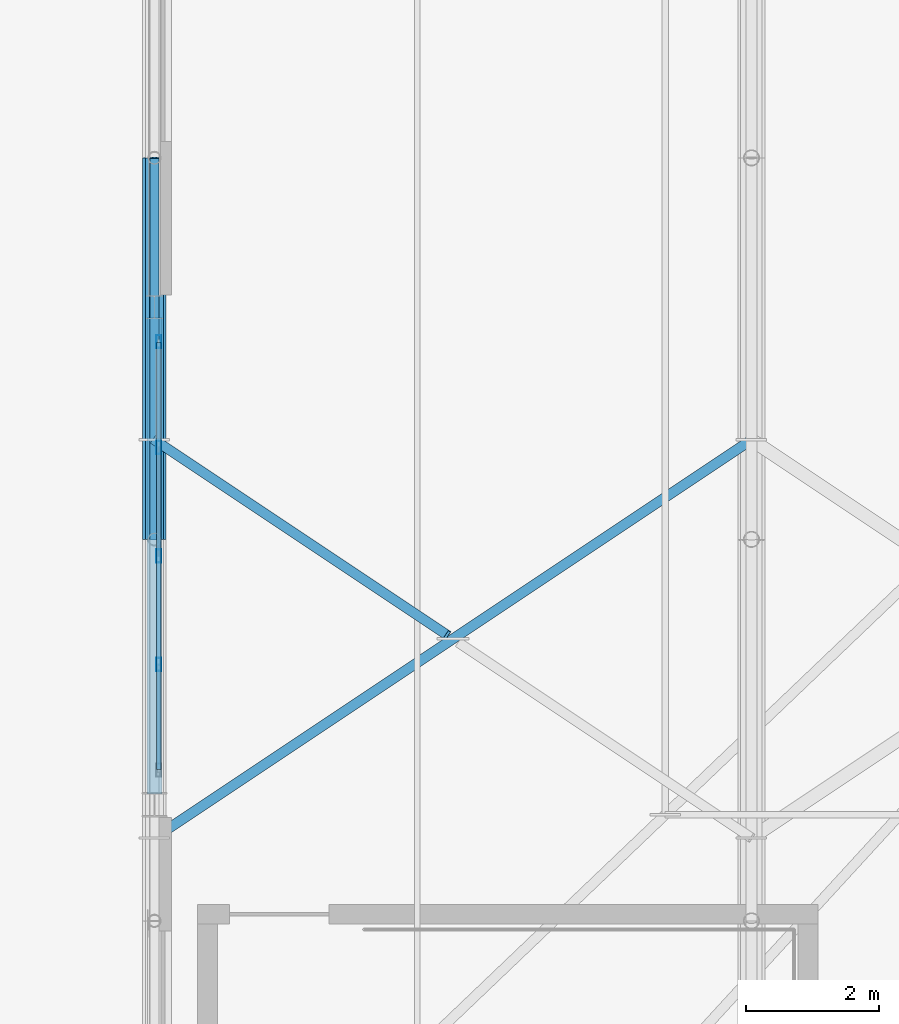
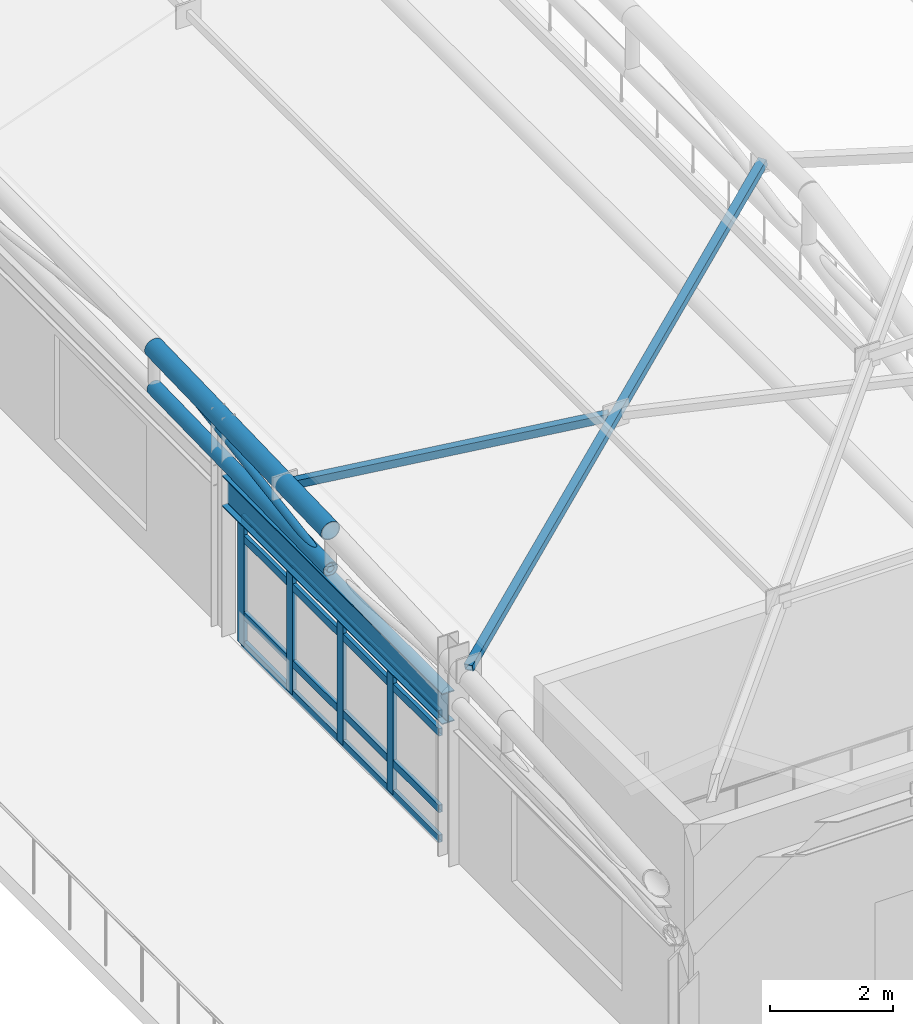
# One storey, part 12 of 168: 12 members, 2 beams, 1 element without a shape of its own.
"""IFC4 building model written with IfcOpenShell, lengths in metres."""

import ifcopenshell
import ifcopenshell.guid

model = None  # the IFC model being written
_history = None  # IfcOwnerHistory: only IFC2X3 demands one
_inside = {}  # id of a spatial element -> (the spatial element, [elements in it])
_under = {}  # id of a project, library or spatial element -> (it, [spatial elements below it])
_declared = {}  # id of a project -> (the project, [libraries it declares])
_typed = {}  # id of a type object -> (the type object, [elements of that type])
_made_of = {}  # id of a material, layer set ... -> (it, [elements and type objects made of it])


def new_model(schema):
    """Start an empty IFC model of exactly this schema.

    Asked for "IFC4X3", IfcOpenShell would pick the latest addendum, in which some entities
    have other attributes; the version numbers below select the first issue.
    IFC2X3 requires an IfcOwnerHistory on every rooted entity: one is made here for all.
    """
    global model, _history
    if schema == "IFC4X3":
        model = ifcopenshell.file(schema_version=(4, 3, 0, 0))
    else:
        model = ifcopenshell.file(schema=schema)
    _inside.clear()
    _under.clear()
    _declared.clear()
    _typed.clear()
    _made_of.clear()
    _history = None
    if model.schema == "IFC2X3":
        org = make("IfcOrganization", Name="unknown")
        user = make(
            "IfcPersonAndOrganization",
            ThePerson=make("IfcPerson", FamilyName="unknown"),
            TheOrganization=org,
        )
        app = make(
            "IfcApplication",
            ApplicationDeveloper=org,
            Version="unknown",
            ApplicationFullName="unknown",
            ApplicationIdentifier="unknown",
        )
        _history = make(
            "IfcOwnerHistory",
            OwningUser=user,
            OwningApplication=app,
            ChangeAction="ADDED",
            CreationDate=0,
        )
    return model


def make(cls, **values):
    """One entity of the class cls with the attributes given. An attribute that is None is left unset."""
    return model.create_entity(
        cls, **{name: value for name, value in values.items() if value is not None}
    )


def rooted(cls, **values):
    """An entity with a GlobalId (a new one), such as an element, a storey or a relation."""
    return make(cls, GlobalId=ifcopenshell.guid.new(), OwnerHistory=_history, **values)


def si_unit(unit_type, name, prefix=None):
    """IfcSIUnit, for example si_unit("LENGTHUNIT", "METRE", prefix="MILLI")."""
    return make("IfcSIUnit", UnitType=unit_type, Prefix=prefix, Name=name)


def assignment(units):
    """IfcUnitAssignment: the units of a project."""
    return None if units is None else make("IfcUnitAssignment", Units=units)


def point(xyz):
    """IfcCartesianPoint."""
    return None if xyz is None else make("IfcCartesianPoint", Coordinates=xyz)


def direction(xyz):
    """IfcDirection."""
    return None if xyz is None else make("IfcDirection", DirectionRatios=xyz)


def frame(location, z_axis=None, x_axis=None):
    """IfcAxis2Placement3D, a coordinate frame: its origin and axes. An axis left out is left unset."""
    return make(
        "IfcAxis2Placement3D",
        Location=point(location),
        Axis=direction(z_axis),
        RefDirection=direction(x_axis),
    )


def frame_2d(location, x_axis=None):
    """IfcAxis2Placement2D, a coordinate frame in the plane: its origin and x axis."""
    return make(
        "IfcAxis2Placement2D", Location=point(location), RefDirection=direction(x_axis)
    )


def origin():
    """The frame at (0, 0, 0) with its axes left unset."""
    return frame((0.0, 0.0, 0.0))


def origin_2d():
    """The frame at (0, 0) in the plane with its x axis left unset."""
    return frame_2d((0.0, 0.0))


def place(relative_to, where):
    """IfcLocalPlacement: puts the frame where relative to a parent placement (None: the world)."""
    return make(
        "IfcLocalPlacement", PlacementRelTo=relative_to, RelativePlacement=where
    )


def context(
    kind, dimensions, precision=None, world=None, true_north=None, identifier=None
):
    """IfcGeometricRepresentationContext, for example the 3D "Model" context."""
    return make(
        "IfcGeometricRepresentationContext",
        ContextIdentifier=identifier,
        ContextType=kind,
        CoordinateSpaceDimension=dimensions,
        Precision=precision,
        WorldCoordinateSystem=world,
        TrueNorth=true_north,
    )


def subcontext(parent, identifier, kind, view, scale=None):
    """IfcGeometricRepresentationSubContext, for example "Body" below "Model"."""
    return make(
        "IfcGeometricRepresentationSubContext",
        ContextIdentifier=identifier,
        ContextType=kind,
        ParentContext=parent,
        TargetScale=scale,
        TargetView=view,
    )


def project(units=None, contexts=None):
    """IfcProject with its units and contexts."""
    return rooted(
        "IfcProject",
        Name="project",
        RepresentationContexts=contexts,
        UnitsInContext=assignment(units),
    )


def spatial(cls, under=None, at=None, **own):
    """A site, building, storey or space (cls), placed at a placement, below another one or the project."""
    s = rooted(cls, ObjectPlacement=at, **own)
    if under is not None:
        _under.setdefault(under.id(), (under, []))[1].append(s)
    return s


def profile(cls, at=None, kind="AREA", **sizes):
    """A parametric profile (cls). Its sizes go by their IFC names, for example OverallWidth=200.0."""
    return make(cls, ProfileType=kind, Position=at, **sizes)


def hollow_rectangle(**sizes):
    """IfcRectangleHollowProfileDef."""
    return profile("IfcRectangleHollowProfileDef", **sizes)


def hollow_circle(**sizes):
    """IfcCircleHollowProfileDef."""
    return profile("IfcCircleHollowProfileDef", **sizes)


def i_section(**sizes):
    """IfcIShapeProfileDef."""
    return profile("IfcIShapeProfileDef", **sizes)


def extrude(swept, where, along, depth):
    """IfcExtrudedAreaSolid: the profile swept, set in the frame where, extruded along a direction by depth."""
    return make(
        "IfcExtrudedAreaSolid",
        SweptArea=swept,
        Position=where,
        ExtrudedDirection=direction(along),
        Depth=depth,
    )


def shape(context_of_items, identifier, shape_type, items):
    """IfcShapeRepresentation: the items that make up one representation, for example the "Body"."""
    return make(
        "IfcShapeRepresentation",
        ContextOfItems=context_of_items,
        RepresentationIdentifier=identifier,
        RepresentationType=shape_type,
        Items=items,
    )


def material(Name=None, Category=None):
    """IfcMaterial."""
    return make("IfcMaterial", Name=Name, Category=Category)


def material_profile(
    of_material, cross_section, Name=None, Category=None, Priority=None
):
    """IfcMaterialProfile: a cross section and its material."""
    return make(
        "IfcMaterialProfile",
        Name=Name,
        Material=of_material,
        Profile=cross_section,
        Priority=Priority,
        Category=Category,
    )


def profile_set(profiles, Name=None, composite=None):
    """IfcMaterialProfileSet."""
    return make(
        "IfcMaterialProfileSet",
        Name=Name,
        MaterialProfiles=profiles,
        CompositeProfile=composite,
    )


def made_of(thing, what):
    """Note that an element or type object is made of a material, layer set ...; save() writes the relation."""
    if what is not None:
        _made_of.setdefault(what.id(), (what, []))[1].append(thing)
    return thing


def type_object(cls, material=None, **own):
    """A type object (cls), such as IfcWallType, which elements share."""
    return made_of(rooted(cls, **own), material)


def element(
    cls,
    number,
    at=None,
    inside=None,
    cuts=None,
    type_object=None,
    material=None,
    context=None,
    identifier="Body",
    shape_type=None,
    held_by="IfcProductDefinitionShape",
    body=None,
    shapes=None,
    **own,
):
    """One element of the class cls, such as IfcWall. Its Tag is "e" and its number.

    at: its placement. inside: the storey or other place that contains it. cuts: it is an
    opening in that element (IfcRelVoidsElement). A single representation is given by context,
    identifier, shape_type and body (its items); several are given by shapes. held_by: the class
    of the entity that holds the representations. save() writes the other relations.
    """
    e = rooted(cls, Tag="e%d" % number, ObjectPlacement=at, **own)
    if body is not None:
        shapes = [shape(context, identifier, shape_type, body)]
    if shapes is not None:
        e.Representation = make(held_by, Representations=shapes)
    if inside is not None:
        _inside.setdefault(inside.id(), (inside, []))[1].append(e)
    if cuts is not None:
        rooted(
            "IfcRelVoidsElement", RelatingBuildingElement=cuts, RelatedOpeningElement=e
        )
    if type_object is not None:
        _typed.setdefault(type_object.id(), (type_object, []))[1].append(e)
    return made_of(e, material)


def aggregate(whole, parts):
    """IfcRelAggregates: a whole, such as a stair, and the parts it consists of."""
    return rooted("IfcRelAggregates", RelatingObject=whole, RelatedObjects=parts)


def save(model, path):
    """Write the relations noted so far, then the file.

    IfcRelAggregates (storeys below a building ...), IfcRelContainedInSpatialStructure (elements
    in a storey), IfcRelDefinesByType, IfcRelAssociatesMaterial and IfcRelDeclares: one each for
    every whole, place, type object, material and project.
    """
    for whole, parts in _under.values():
        aggregate(whole, parts)
    for where, things in _inside.values():
        rooted(
            "IfcRelContainedInSpatialStructure",
            RelatedElements=things,
            RelatingStructure=where,
        )
    for kind, things in _typed.values():
        rooted("IfcRelDefinesByType", RelatedObjects=things, RelatingType=kind)
    for what, things in _made_of.values():
        rooted("IfcRelAssociatesMaterial", RelatedObjects=things, RelatingMaterial=what)
    for by, libraries in _declared.values():
        rooted("IfcRelDeclares", RelatingContext=by, RelatedDefinitions=libraries)
    model.write(path)


model = new_model("IFC4")

# Units and contexts
model_context = context("Model", 3, precision=1e-05, world=origin(), true_north=direction((0.0, 1.0)))
body_context = subcontext(model_context, "Body", "Model", "MODEL_VIEW")
ifc_project = project(units=[si_unit("LENGTHUNIT", "METRE"), si_unit("AREAUNIT", "SQUARE_METRE"), si_unit("VOLUMEUNIT", "CUBIC_METRE"), si_unit("PLANEANGLEUNIT", "RADIAN"), si_unit("MASSUNIT", "GRAM", prefix="KILO"), si_unit("THERMODYNAMICTEMPERATUREUNIT", "KELVIN"), si_unit("POWERUNIT", "WATT")], contexts=[model_context])

# Site, building, storey
site_placement = place(None, origin())
site = spatial("IfcSite", under=ifc_project, at=site_placement, CompositionType="ELEMENT")
building_placement = place(site_placement, origin())
building = spatial("IfcBuilding", under=site, at=building_placement, Name="Tepalcoro Natatorium and Aquatics Centre", CompositionType="ELEMENT")
storey_placement = place(building_placement, frame((0.0, 0.0, 10.199951171875)))
storey = spatial("IfcBuildingStorey", under=building, at=storey_placement, Name="L02", CompositionType="ELEMENT", Elevation=10.199951171875)

# Beam
ifc_material_1 = material(Name="Terracotta Painted Hollow Steel ASTM A500 Grade C (Fy 345 MPa)", Category="masonry")
ifc_material_profile_1 = material_profile(ifc_material_1, hollow_circle(Radius=0.177978515625, WallThickness=0.01611328125, at=origin_2d()), Name="CHS356X16")
ifc_profile_set_1 = profile_set([ifc_material_profile_1], Name="Terracotta Painted Hollow Steel ASTM A500 Grade C (Fy 345 MPa)")
beam_type_1 = type_object("IfcBeamType", Name="AC_CHS356x16", PredefinedType="USERDEFINED", material=ifc_profile_set_1)
beam_1_placement = place(storey_placement, frame((53.0, 24.5, 4.087646484375), z_axis=(0.0, 0.999615859161, 0.027715232508), x_axis=(-1.0, 0.0, 0.0)))
element("IfcBeam", 1, at=beam_1_placement, inside=storey, type_object=beam_type_1, Name="V1 Gable Arched Truss Top Chord 1", ObjectType="ARCH CHORD", PredefinedType="USERDEFINED", context=body_context, shape_type="SweptSolid", body=[
    extrude(hollow_circle(Radius=0.177978515625, WallThickness=0.01611328125, at=origin_2d()), origin(), (0.0, 0.0, 1.0), 5.752197265625),
])

# Curtain wall, members
ifc_material_2 = material(Name="Bronze-Anodised Extruded Aluminium Alloy EN AW-6063 T6", Category="aluminium")
curtain_wall_type = type_object("IfcCurtainWallType", Name="CW_LEAN_T1_NS", PredefinedType="USERDEFINED", material=ifc_material_2)
curtain_wall_placement = place(storey_placement, origin())
curtain_wall = element("IfcCurtainWall", 2, at=curtain_wall_placement, inside=storey, type_object=curtain_wall_type, Name="V1 L02 W Unitised Curtain Wall Bay 2", ObjectType="FACETED SOLAR GLAZING", PredefinedType="USERDEFINED")
ifc_material_profile_2 = material_profile(ifc_material_2, hollow_rectangle(XDim=0.070068359375, YDim=0.199951171875, WallThickness=0.0048828125, at=origin_2d()), Name="AL70X200X5")
ifc_profile_set_2 = profile_set([ifc_material_profile_2], Name="Bronze-Anodised Extruded Aluminium Alloy EN AW-6063 T6")
member_type_1 = type_object("IfcMemberType", Name="CW_MUL_70x200", PredefinedType="MULLION", material=ifc_profile_set_2)
member_1_placement = place(storey_placement, frame((53.06494140625, 22.614990234375, 0.02001953125), z_axis=(0.0, 0.0, 1.0), x_axis=(1.0, 0.0, 0.0)))
member_1 = element("IfcMember", 3, at=member_1_placement, type_object=member_type_1, Name="CW_LEAN_T1_NS Curtain Wall Mullion", PredefinedType="MULLION", context=body_context, shape_type="SweptSolid", body=[
    extrude(hollow_rectangle(XDim=0.070068359375, YDim=0.199951171875, WallThickness=0.0048828125, at=origin_2d()), origin(), (0.0, 0.0, 1.0), 2.5380859375),
])
member_2_placement = place(storey_placement, frame((53.06494140625, 24.25, 0.02001953125), z_axis=(0.0, 0.0, 1.0), x_axis=(1.0, 0.0, 0.0)))
member_2 = element("IfcMember", 4, at=member_2_placement, type_object=member_type_1, Name="CW_LEAN_T1_NS Curtain Wall Mullion", PredefinedType="MULLION", context=body_context, shape_type="SweptSolid", body=[
    extrude(hollow_rectangle(XDim=0.070068359375, YDim=0.199951171875, WallThickness=0.0048828125, at=origin_2d()), origin(), (0.0, 0.0, 1.0), 2.5380859375),
])
member_3_placement = place(storey_placement, frame((53.06494140625, 25.885009765625, 0.02001953125), z_axis=(0.0, 0.0, 1.0), x_axis=(1.0, 0.0, 0.0)))
member_3 = element("IfcMember", 5, at=member_3_placement, type_object=member_type_1, Name="CW_LEAN_T1_NS Curtain Wall Mullion", PredefinedType="MULLION", context=body_context, shape_type="SweptSolid", body=[
    extrude(hollow_rectangle(XDim=0.070068359375, YDim=0.199951171875, WallThickness=0.0048828125, at=origin_2d()), origin(), (0.0, 0.0, 1.0), 2.5380859375),
])
member_4_placement = place(storey_placement, frame((53.06494140625, 27.47998046875, 0.02001953125), z_axis=(0.0, 0.0, 1.0), x_axis=(1.0, 0.0, 0.0)))
member_4 = element("IfcMember", 6, at=member_4_placement, type_object=member_type_1, Name="CW_LEAN_T1_NS Curtain Wall Mullion", PredefinedType="MULLION", context=body_context, shape_type="SweptSolid", body=[
    extrude(hollow_rectangle(XDim=0.070068359375, YDim=0.199951171875, WallThickness=0.0048828125, at=origin_2d()), origin(), (0.0, 0.0, 1.0), 2.5380859375),
])
ifc_material_profile_3 = material_profile(ifc_material_2, hollow_rectangle(XDim=0.070068359375, YDim=0.14990234375, WallThickness=0.00390625, at=origin_2d()), Name="AL70X150X4")
ifc_profile_set_3 = profile_set([ifc_material_profile_3], Name="Bronze-Anodised Extruded Aluminium Alloy EN AW-6063 T6")
member_type_2 = type_object("IfcMemberType", Name="CW_TRN_70x150", PredefinedType="USERDEFINED", material=ifc_profile_set_3)
member_5_placement = place(storey_placement, frame((53.06494140625, 21.030029296875, 0.050048828125), z_axis=(0.0, 1.0, 0.0), x_axis=(-1.0, 0.0, 0.0)))
member_5 = element("IfcMember", 7, at=member_5_placement, type_object=member_type_2, Name="CW_LEAN_T1_NS Curtain Wall Transom", ObjectType="TRANSOM", PredefinedType="USERDEFINED", context=body_context, shape_type="SweptSolid", body=[
    extrude(hollow_rectangle(XDim=0.070068359375, YDim=0.14990234375, WallThickness=0.00390625, at=origin_2d()), origin(), (0.0, 0.0, 1.0), 6.43994140625),
])
member_6_placement = place(storey_placement, frame((53.06494140625, 21.030029296875, 0.64453125), z_axis=(0.0, 1.0, 0.0), x_axis=(-1.0, 0.0, 0.0)))
member_6 = element("IfcMember", 8, at=member_6_placement, type_object=member_type_2, Name="CW_LEAN_T1_NS Curtain Wall Transom", ObjectType="TRANSOM", PredefinedType="USERDEFINED", context=body_context, shape_type="SweptSolid", body=[
    extrude(hollow_rectangle(XDim=0.070068359375, YDim=0.14990234375, WallThickness=0.00390625, at=origin_2d()), origin(), (0.0, 0.0, 1.0), 6.43994140625),
])
member_7_placement = place(storey_placement, frame((53.06494140625, 21.030029296875, 2.16552734375), z_axis=(0.0, 1.0, 0.0), x_axis=(-1.0, 0.0, 0.0)))
member_7 = element("IfcMember", 9, at=member_7_placement, type_object=member_type_2, Name="CW_LEAN_T1_NS Curtain Wall Transom", ObjectType="TRANSOM", PredefinedType="USERDEFINED", context=body_context, shape_type="SweptSolid", body=[
    extrude(hollow_rectangle(XDim=0.070068359375, YDim=0.14990234375, WallThickness=0.00390625, at=origin_2d()), origin(), (0.0, 0.0, 1.0), 6.43994140625),
])
member_8_placement = place(storey_placement, frame((53.06494140625, 21.030029296875, 2.528076171875), z_axis=(0.0, 1.0, 0.0), x_axis=(-1.0, 0.0, 0.0)))
member_8 = element("IfcMember", 10, at=member_8_placement, type_object=member_type_2, Name="CW_LEAN_T1_NS Curtain Wall Transom", ObjectType="TRANSOM", PredefinedType="USERDEFINED", context=body_context, shape_type="SweptSolid", body=[
    extrude(hollow_rectangle(XDim=0.070068359375, YDim=0.14990234375, WallThickness=0.00390625, at=origin_2d()), origin(), (0.0, 0.0, 1.0), 6.43994140625),
])
aggregate(curtain_wall, [member_1, member_2, member_3, member_4, member_5, member_6, member_7, member_8])

# Members
ifc_material_3 = material(Name="Hollow Steel ASTM A500 Grade C (Fy 345 MPa)", Category="steel")
ifc_material_profile_4 = material_profile(ifc_material_3, hollow_rectangle(XDim=0.14990234375, YDim=0.14990234375, WallThickness=0.010009765625, at=origin_2d()), Name="HSS150X150X10")
ifc_profile_set_4 = profile_set([ifc_material_profile_4], Name="Hollow Steel ASTM A500 Grade C (Fy 345 MPa)")
member_type_3 = type_object("IfcMemberType", Name="MB_BR_HSS150x150x10", PredefinedType="BRACE", material=ifc_profile_set_4)
member_9_placement = place(storey_placement, frame((53.0, 20.0, 4.094970703125), z_axis=(0.796226377267, 0.530817584844, 0.290269267689), x_axis=(-0.554700196225, 0.832050294338, 0.0)))
element("IfcMember", 11, at=member_9_placement, inside=storey, type_object=member_type_3, Name="V1 Pyramid Roof Wind Brace", PredefinedType="BRACE", context=body_context, shape_type="SweptSolid", body=[
    extrude(hollow_rectangle(XDim=0.14990234375, YDim=0.14990234375, WallThickness=0.010009765625, at=origin_2d()), origin(), (0.0, 0.0, 1.0), 11.30322265625),
])
member_10_placement = place(storey_placement, frame((57.4111328125, 23.05908203125, 5.709228515625), z_axis=(-0.795956957685, 0.530667340728, -0.291281127087), x_axis=(-0.554721450011, -0.832036124755, 0.0)))
element("IfcMember", 12, at=member_10_placement, inside=storey, type_object=member_type_3, Name="V1 Pyramid Roof Split Wind Brace", PredefinedType="BRACE", context=body_context, shape_type="SweptSolid", body=[
    extrude(hollow_rectangle(XDim=0.14990234375, YDim=0.14990234375, WallThickness=0.010009765625, at=origin_2d()), origin(), (0.0, 0.0, 1.0), 5.5419921875),
])
ifc_material_profile_5 = material_profile(ifc_material_1, hollow_circle(Radius=0.136474609375, WallThickness=0.01611328125, at=origin_2d()), Name="CHS273X16")
ifc_profile_set_5 = profile_set([ifc_material_profile_5], Name="Terracotta Painted Hollow Steel ASTM A500 Grade C (Fy 345 MPa)")
member_type_4 = type_object("IfcMemberType", Name="MB_CH_CHS273x16", PredefinedType="CHORD", material=ifc_profile_set_5)
member_11_placement = place(storey_placement, frame((53.0, 24.5, 3.324951171875), z_axis=(0.0, 0.999739199123, 0.022837113159), x_axis=(-1.0, 0.0, 0.0)))
element("IfcMember", 13, at=member_11_placement, inside=storey, type_object=member_type_4, Name="V1 Gable Arched Truss Bottom Chord 1", PredefinedType="CHORD", context=body_context, shape_type="SweptSolid", body=[
    extrude(hollow_circle(Radius=0.136474609375, WallThickness=0.01611328125, at=origin_2d()), origin(), (0.0, 0.0, 1.0), 5.75146484375),
])
ifc_material_profile_6 = material_profile(ifc_material_1, hollow_circle(Radius=0.070068359375, WallThickness=0.008056640625, at=origin_2d()), Name="CHS140X8")
ifc_profile_set_6 = profile_set([ifc_material_profile_6], Name="Terracotta Painted Hollow Steel ASTM A500 Grade C (Fy 345 MPa)")
member_type_5 = type_object("IfcMemberType", Name="MB_ST_CHS140x8", PredefinedType="STRUT", material=ifc_profile_set_6)
member_12_placement = place(storey_placement, frame((53.0, 24.5, 3.324951171875), z_axis=(0.0, 0.987383798038, 0.158345304229), x_axis=(-1.0, 0.0, 0.0)))
element("IfcMember", 14, at=member_12_placement, inside=storey, type_object=member_type_5, Name="V1 Arched Truss Web Diagonal 1", PredefinedType="STRUT", context=body_context, shape_type="SweptSolid", body=[
    extrude(hollow_circle(Radius=0.070068359375, WallThickness=0.008056640625, at=origin_2d()), origin(), (0.0, 0.0, 1.0), 5.823486328125),
])

# Beam
ifc_material_4 = material(Name="Steel ASTM A992 Grade 50 (Fy 345 MPa)", Category="steel")
ifc_material_profile_7 = material_profile(ifc_material_4, i_section(OverallWidth=0.22900390625, OverallDepth=0.612060546875, WebThickness=0.011962890625, FlangeThickness=0.02001953125, FilletRadius=0.013916015625, at=origin_2d()), Name="W24X84")
ifc_profile_set_7 = profile_set([ifc_material_profile_7], Name="Steel ASTM A992 Grade 50 (Fy 345 MPa)")
beam_type_2 = type_object("IfcBeamType", Name="SP_W24x84", PredefinedType="SPANDREL", material=ifc_profile_set_7)
beam_2_placement = place(storey_placement, frame((53.0, 20.66552734375, 2.899169921875), z_axis=(0.0, 1.0, 0.0), x_axis=(-1.0, 0.0, 0.0)))
element("IfcBeam", 15, at=beam_2_placement, inside=storey, type_object=beam_type_2, Name="V1 L02 Grid Girder Y", PredefinedType="SPANDREL", context=body_context, shape_type="SweptSolid", body=[
    extrude(i_section(OverallWidth=0.22900390625, OverallDepth=0.612060546875, WebThickness=0.011962890625, FlangeThickness=0.02001953125, FilletRadius=0.013916015625, at=origin_2d()), origin(), (0.0, 0.0, 1.0), 7.177490234375),
])

save(model, "model.ifc")
